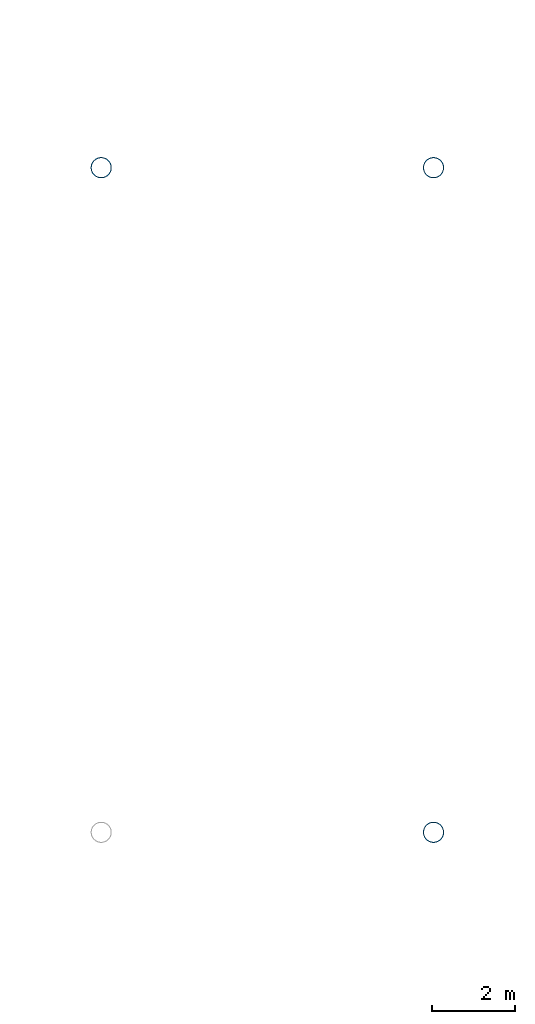
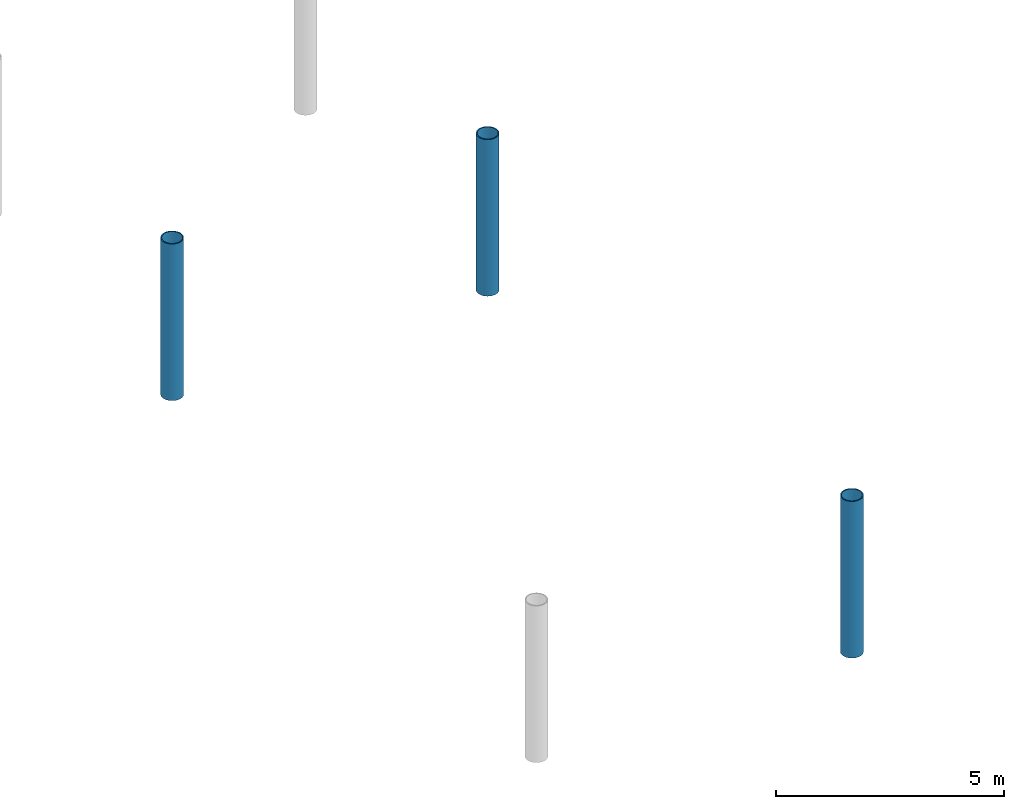
# One storey, part 4 of 41: 3 columns.
"""IFC4 building model written with IfcOpenShell, lengths in metres."""

from ifc_helpers import new_model, si_unit, direction, frame, origin, origin_2d, place, context, subcontext, project, spatial, hollow_circle, extrude, material, material_profile, profile_set, type_object, element, save


model = new_model("IFC4")

# Units and contexts
model_context = context("Model", 3, precision=1e-05, world=origin(), true_north=direction((0.0, 1.0)))
body_context = subcontext(model_context, "Body", "Model", "MODEL_VIEW")
ifc_project = project(units=[si_unit("LENGTHUNIT", "METRE"), si_unit("AREAUNIT", "SQUARE_METRE"), si_unit("VOLUMEUNIT", "CUBIC_METRE"), si_unit("PLANEANGLEUNIT", "RADIAN"), si_unit("MASSUNIT", "GRAM", prefix="KILO")], contexts=[model_context])

# Site, building, storey
site_placement = place(None, origin())
site = spatial("IfcSite", under=ifc_project, at=site_placement, CompositionType="ELEMENT")
building_placement = place(site_placement, origin())
building = spatial("IfcBuilding", under=site, at=building_placement, Name="Haebicheon Civic Stadium", CompositionType="ELEMENT")
storey_placement = place(building_placement, frame((0.0, 0.0, 27.0)))
storey = spatial("IfcBuildingStorey", under=building, at=storey_placement, Name="L07", CompositionType="ELEMENT", Elevation=27.0)

# Columns
ifc_material = material(Name="White painted steel SM490", Category="steel")
ifc_material_profile = material_profile(ifc_material, hollow_circle(Radius=0.25390625, WallThickness=0.02490234375, at=origin_2d()), Name="CHS-508.0x25.0")
ifc_profile_set = profile_set([ifc_material_profile], Name="White painted steel SM490")
column_type = type_object("IfcColumnType", Name="COL-ST-CHS508", PredefinedType="COLUMN", material=ifc_profile_set)
for number, where, z_axis, x_axis, name in (
    (1, (72.0, 88.0, 0.0), (0.0, 0.0, 1.0), (1.0, 0.0, 0.0), "Bowl/canopy support column 72/88 (L07)"),
    (2, (64.0, 104.0, 0.0), (0.0, 0.0, 1.0), (1.0, 0.0, 0.0), "Bowl/canopy support column 64/104 (L07)"),
    (3, (72.0, 104.0, 0.0), (0.0, 0.0, 1.0), (1.0, 0.0, 0.0), "Bowl/canopy support column 72/104 (L07)"),
):
    element("IfcColumn", number, at=place(storey_placement, frame(where, z_axis=z_axis, x_axis=x_axis)), inside=storey, type_object=column_type, material=ifc_profile_set, Name=name, PredefinedType="COLUMN", context=body_context, shape_type="SweptSolid", body=[
        extrude(hollow_circle(Radius=0.25390625, WallThickness=0.02490234375, at=origin_2d()), origin(), (0.0, 0.0, 1.0), 4.199951171875),
    ])

save(model, "model.ifc")
